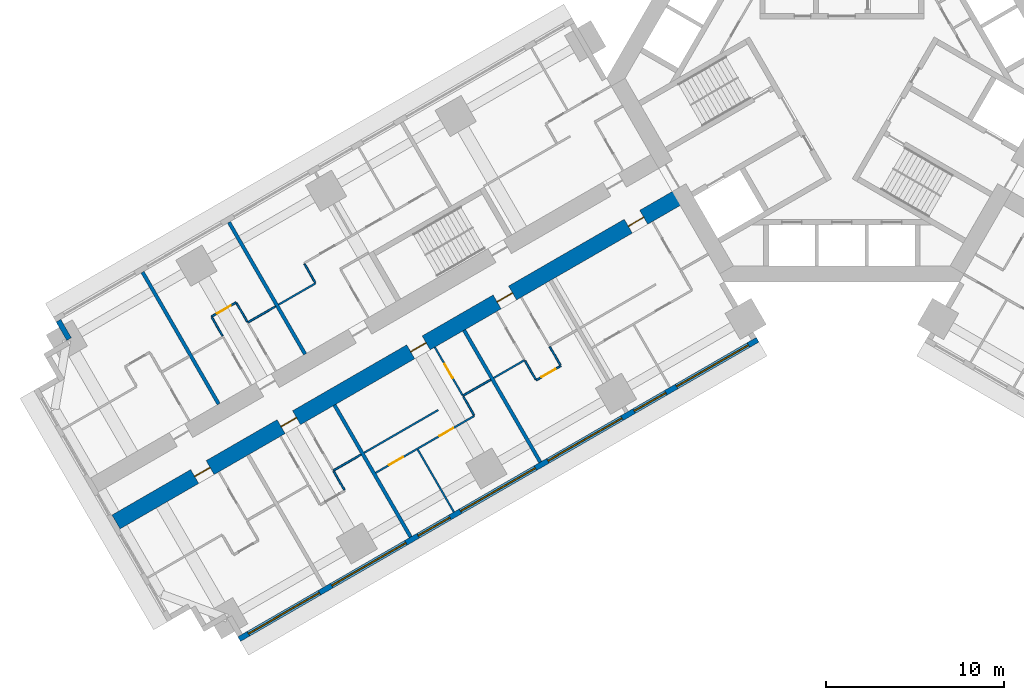
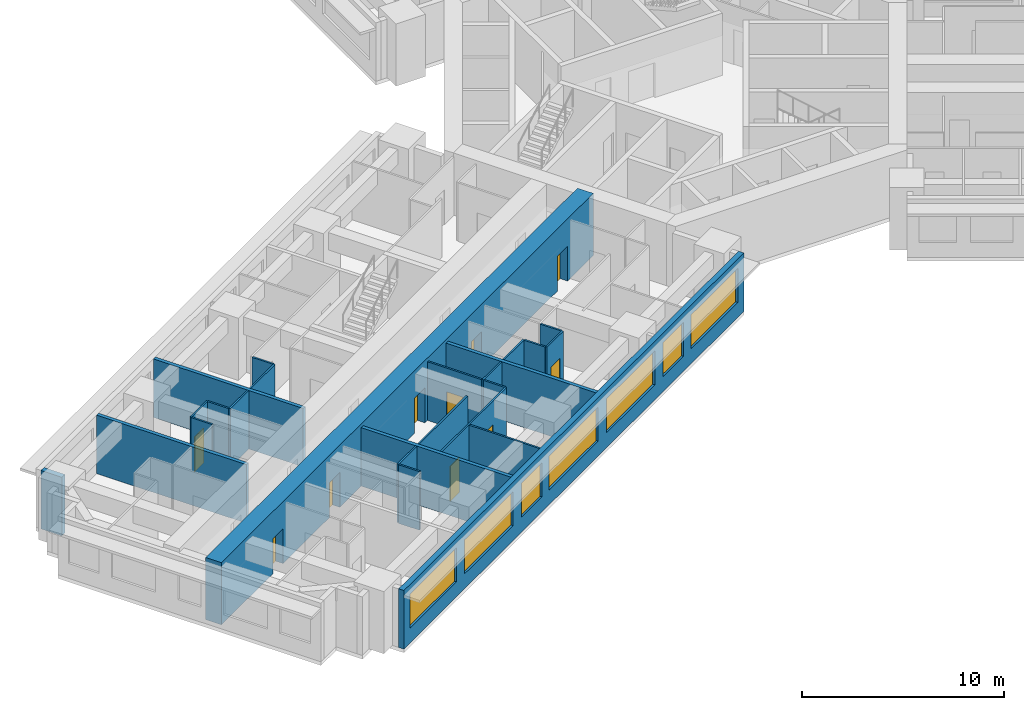
# One storey, part 4 of 16: 25 walls, 10 doors, 7 windows, 17 openings.
"""IFC4 building model written with IfcOpenShell, lengths in metres."""

from ifc_helpers import new_model, si_unit, direction, frame, frame_2d, origin, place, context, subcontext, project, spatial, rectangle, extrude, material, layer, layer_set, type_object, element, fill, save


model = new_model("IFC4")

# Units and contexts
model_context = context("Model", 3, precision=1e-05, world=origin(), true_north=direction((0.0, 1.0)))
body_context = subcontext(model_context, "Body", "Model", "MODEL_VIEW")
ifc_project = project(units=[si_unit("LENGTHUNIT", "METRE"), si_unit("AREAUNIT", "SQUARE_METRE"), si_unit("VOLUMEUNIT", "CUBIC_METRE"), si_unit("PLANEANGLEUNIT", "RADIAN"), si_unit("MASSUNIT", "GRAM", prefix="KILO")], contexts=[model_context])

# Site, building, storey
site_placement = place(None, origin())
site = spatial("IfcSite", under=ifc_project, at=site_placement, CompositionType="ELEMENT")
building_placement = place(site_placement, origin())
building = spatial("IfcBuilding", under=site, at=building_placement, Name="Impinga Residences", CompositionType="ELEMENT")
storey_placement = place(building_placement, frame((0.0, 0.0, 48.5)))
storey = spatial("IfcBuildingStorey", under=building, at=storey_placement, Name="L11", CompositionType="ELEMENT", Elevation=48.5)

# Wall, openings, doors
ifc_material_1 = material(Name="Concrete C70/85", Category="concrete")
ifc_layer_1 = layer(ifc_material_1, 0.89990234375)
ifc_layer_set_1 = layer_set([ifc_layer_1], Name="Concrete C70/85")
wall_type_1 = type_object("IfcWallType", Name="BW1 corridor buttress wall, L05 to L22 900", PredefinedType="SHEAR", material=ifc_layer_set_1)
wall_1_placement = place(storey_placement, frame((-8.910400390625, -6.530029296875, 0.0), z_axis=(0.0, 0.0, 1.0), x_axis=(-0.866025284237, -0.500000207062, 0.0)))
wall_1 = element("IfcWall", 1, at=wall_1_placement, inside=storey, type_object=wall_type_1, Name="Corridor wall BW1 WC L11", PredefinedType="SHEAR", context=body_context, shape_type="SweptSolid", body=[
    extrude(rectangle(XDim=36.75, YDim=0.89990234375, at=frame_2d((18.375, 0.0))), origin(), (0.0, 0.0, 1.0), 3.75),
])
opening_1_placement = place(wall_1_placement, frame((2.550048828125, 0.0, 0.0)))
opening_1 = element("IfcOpeningElement", 2, at=opening_1_placement, cuts=wall_1, Name="Opening D1", PredefinedType="OPENING", context=body_context, shape_type="SweptSolid", body=[
    extrude(rectangle(XDim=1.0, YDim=2.10009765625, at=frame_2d((0.5, 1.050048828125))), frame((0.0, 0.4599609375, 0.0), z_axis=(0.0, -1.0, 0.0), x_axis=(1.0, 0.0, 0.0)), (0.0, 0.0, 1.0), 0.919921875),
])
opening_2_placement = place(wall_1_placement, frame((11.050048828125, 0.0, 0.0)))
opening_2 = element("IfcOpeningElement", 3, at=opening_2_placement, cuts=wall_1, Name="Opening D1", PredefinedType="OPENING", context=body_context, shape_type="SweptSolid", body=[
    extrude(rectangle(XDim=1.0, YDim=2.10009765625, at=frame_2d((0.5, 1.050048828125))), frame((0.0, 0.4599609375, 0.0), z_axis=(0.0, -1.0, 0.0), x_axis=(1.0, 0.0, 0.0)), (0.0, 0.0, 1.0), 0.919921875),
])
opening_3_placement = place(wall_1_placement, frame((16.64990234375, 0.0, 0.0)))
opening_3 = element("IfcOpeningElement", 4, at=opening_3_placement, cuts=wall_1, Name="Opening D1", PredefinedType="OPENING", context=body_context, shape_type="SweptSolid", body=[
    extrude(rectangle(XDim=1.0, YDim=2.10009765625, at=frame_2d((0.5, 1.050048828125))), frame((0.0, 0.4599609375, 0.0), z_axis=(0.0, -1.0, 0.0), x_axis=(1.0, 0.0, 0.0)), (0.0, 0.0, 1.0), 0.919921875),
])
opening_4_placement = place(wall_1_placement, frame((25.050048828125, 0.0, 0.0)))
opening_4 = element("IfcOpeningElement", 5, at=opening_4_placement, cuts=wall_1, Name="Opening D1", PredefinedType="OPENING", context=body_context, shape_type="SweptSolid", body=[
    extrude(rectangle(XDim=1.0, YDim=2.10009765625, at=frame_2d((0.5, 1.050048828125))), frame((0.0, 0.4599609375, 0.0), z_axis=(0.0, -1.0, 0.0), x_axis=(1.0, 0.0, 0.0)), (0.0, 0.0, 1.0), 0.919921875),
])
opening_5_placement = place(wall_1_placement, frame((30.64990234375, 0.0, 0.0)))
opening_5 = element("IfcOpeningElement", 6, at=opening_5_placement, cuts=wall_1, Name="Opening D1", PredefinedType="OPENING", context=body_context, shape_type="SweptSolid", body=[
    extrude(rectangle(XDim=1.0, YDim=2.10009765625, at=frame_2d((0.5, 1.050048828125))), frame((0.0, 0.4599609375, 0.0), z_axis=(0.0, -1.0, 0.0), x_axis=(1.0, 0.0, 0.0)), (0.0, 0.0, 1.0), 0.919921875),
])
ifc_material_2 = material(Name="Timber door set", Category="wood")
door_type_1 = type_object("IfcDoorType", Name="D1 apartment entrance door 1000x2100", OperationType="SINGLE_SWING_LEFT", PredefinedType="DOOR", material=ifc_material_2)
door_1_placement = place(opening_1_placement, origin())
door_1 = element("IfcDoor", 7, at=door_1_placement, inside=storey, type_object=door_type_1, Name="Apartment L11-WA1 entrance", OperationType="SINGLE_SWING_LEFT", OverallHeight=2.10009765625, OverallWidth=1.0, PredefinedType="DOOR", context=body_context, shape_type="SweptSolid", body=[
    extrude(rectangle(XDim=1.0, YDim=2.10009765625, at=frame_2d((0.5, 1.050048828125))), frame((0.0, 0.02490234375, 0.0), z_axis=(0.0, -1.0, 0.0), x_axis=(1.0, 0.0, 0.0)), (0.0, 0.0, 1.0), 0.050048828125),
])
fill(opening_1, door_1)
door_2_placement = place(opening_2_placement, origin())
door_2 = element("IfcDoor", 8, at=door_2_placement, inside=storey, type_object=door_type_1, Name="Apartment L11-WA2 entrance", OperationType="SINGLE_SWING_LEFT", OverallHeight=2.10009765625, OverallWidth=1.0, PredefinedType="DOOR", context=body_context, shape_type="SweptSolid", body=[
    extrude(rectangle(XDim=1.0, YDim=2.10009765625, at=frame_2d((0.5, 1.050048828125))), frame((0.0, 0.02490234375, 0.0), z_axis=(0.0, -1.0, 0.0), x_axis=(1.0, 0.0, 0.0)), (0.0, 0.0, 1.0), 0.050048828125),
])
fill(opening_2, door_2)
door_3_placement = place(opening_3_placement, origin())
door_3 = element("IfcDoor", 9, at=door_3_placement, inside=storey, type_object=door_type_1, Name="Apartment L11-WA3 entrance", OperationType="SINGLE_SWING_LEFT", OverallHeight=2.10009765625, OverallWidth=1.0, PredefinedType="DOOR", context=body_context, shape_type="SweptSolid", body=[
    extrude(rectangle(XDim=1.0, YDim=2.10009765625, at=frame_2d((0.5, 1.050048828125))), frame((0.0, 0.02490234375, 0.0), z_axis=(0.0, -1.0, 0.0), x_axis=(1.0, 0.0, 0.0)), (0.0, 0.0, 1.0), 0.050048828125),
])
fill(opening_3, door_3)
door_4_placement = place(opening_4_placement, origin())
door_4 = element("IfcDoor", 10, at=door_4_placement, inside=storey, type_object=door_type_1, Name="Apartment L11-WA4 entrance", OperationType="SINGLE_SWING_RIGHT", OverallHeight=2.10009765625, OverallWidth=1.0, PredefinedType="DOOR", context=body_context, shape_type="SweptSolid", body=[
    extrude(rectangle(XDim=1.0, YDim=2.10009765625, at=frame_2d((0.5, 1.050048828125))), frame((0.0, 0.02490234375, 0.0), z_axis=(0.0, -1.0, 0.0), x_axis=(1.0, 0.0, 0.0)), (0.0, 0.0, 1.0), 0.050048828125),
])
fill(opening_4, door_4)
door_5_placement = place(opening_5_placement, origin())
door_5 = element("IfcDoor", 11, at=door_5_placement, inside=storey, type_object=door_type_1, Name="Apartment L11-WA5 entrance", OperationType="SINGLE_SWING_RIGHT", OverallHeight=2.10009765625, OverallWidth=1.0, PredefinedType="DOOR", context=body_context, shape_type="SweptSolid", body=[
    extrude(rectangle(XDim=1.0, YDim=2.10009765625, at=frame_2d((0.5, 1.050048828125))), frame((0.0, 0.02490234375, 0.0), z_axis=(0.0, -1.0, 0.0), x_axis=(1.0, 0.0, 0.0)), (0.0, 0.0, 1.0), 0.050048828125),
])
fill(opening_5, door_5)

# Wall
ifc_material_3 = material(Name="Terracotta rainscreen on blockwork", Category="masonry")
ifc_layer_2 = layer(ifc_material_3, 0.300048828125)
ifc_layer_set_2 = layer_set([ifc_layer_2], Name="EW1 external wall, terracotta rainscreen on blockwork 300")
wall_type_2 = type_object("IfcWallType", Name="EW1 external wall, terracotta rainscreen on blockwork 300", PredefinedType="SOLIDWALL", material=ifc_layer_set_2)
wall_2_placement = place(storey_placement, frame((-43.37109375, -14.64208984375, 0.0), z_axis=(0.0, 0.0, 1.0), x_axis=(-0.500029051137, 0.866008630453, 0.0)))
element("IfcWall", 12, at=wall_2_placement, inside=storey, type_object=wall_type_2, Name="External wall EW1 L11", PredefinedType="SOLIDWALL", context=body_context, shape_type="SweptSolid", body=[
    extrude(rectangle(XDim=1.19482421875, YDim=0.300048828125, at=frame_2d((0.597412109375, 0.0))), origin(), (0.0, 0.0, 1.0), 3.530029296875),
])

# Wall, openings, windows
wall_3_placement = place(storey_placement, frame((-4.72509765625, -14.67919921875, 0.0), z_axis=(0.0, 0.0, 1.0), x_axis=(-0.866024291668, -0.500001926238, 0.0)))
wall_3 = element("IfcWall", 13, at=wall_3_placement, inside=storey, type_object=wall_type_2, Name="External wall EW1 L11", PredefinedType="SOLIDWALL", context=body_context, shape_type="SweptSolid", body=[
    extrude(rectangle(XDim=33.599853515625, YDim=0.300048828125, at=frame_2d((16.7998046875, 0.0))), origin(), (0.0, 0.0, 1.0), 3.530029296875),
])
opening_6_placement = place(wall_3_placement, frame((0.60009765625, 0.0, 0.89990234375)))
opening_6 = element("IfcOpeningElement", 14, at=opening_6_placement, cuts=wall_3, Name="Opening W10", PredefinedType="OPENING", context=body_context, shape_type="SweptSolid", body=[
    extrude(rectangle(XDim=4.64990234375, YDim=2.050048828125, at=frame_2d((2.324951171875, 1.02490234375))), frame((0.0, 0.159912109375, 0.0), z_axis=(0.0, -1.0, 0.0), x_axis=(1.0, 0.0, 0.0)), (0.0, 0.0, 1.0), 0.320068359375),
])
opening_7_placement = place(wall_3_placement, frame((5.949951171875, 0.0, 0.89990234375)))
opening_7 = element("IfcOpeningElement", 15, at=opening_7_placement, cuts=wall_3, Name="Opening W14", PredefinedType="OPENING", context=body_context, shape_type="SweptSolid", body=[
    extrude(rectangle(XDim=2.050048828125, YDim=2.050048828125, at=frame_2d((1.02490234375, 1.02490234375))), frame((0.0, 0.159912109375, 0.0), z_axis=(0.0, -1.0, 0.0), x_axis=(1.0, 0.0, 0.0)), (0.0, 0.0, 1.0), 0.320068359375),
])
opening_8_placement = place(wall_3_placement, frame((8.800048828125, 0.0, 0.89990234375)))
opening_8 = element("IfcOpeningElement", 16, at=opening_8_placement, cuts=wall_3, Name="Opening W8", PredefinedType="OPENING", context=body_context, shape_type="SweptSolid", body=[
    extrude(rectangle(XDim=4.800048828125, YDim=2.050048828125, at=frame_2d((2.39990234375, 1.02490234375))), frame((0.0, 0.159912109375, 0.0), z_axis=(0.0, -1.0, 0.0), x_axis=(1.0, 0.0, 0.0)), (0.0, 0.0, 1.0), 0.320068359375),
])
opening_9_placement = place(wall_3_placement, frame((14.39990234375, 0.0, 0.89990234375)))
opening_9 = element("IfcOpeningElement", 17, at=opening_9_placement, cuts=wall_3, Name="Opening W6", PredefinedType="OPENING", context=body_context, shape_type="SweptSolid", body=[
    extrude(rectangle(XDim=4.85009765625, YDim=2.050048828125, at=frame_2d((2.425048828125, 1.02490234375))), frame((0.0, 0.159912109375, 0.0), z_axis=(0.0, -1.0, 0.0), x_axis=(1.0, 0.0, 0.0)), (0.0, 0.0, 1.0), 0.320068359375),
])
opening_10_placement = place(wall_3_placement, frame((19.949951171875, 0.0, 0.89990234375)))
opening_10 = element("IfcOpeningElement", 18, at=opening_10_placement, cuts=wall_3, Name="Opening W14", PredefinedType="OPENING", context=body_context, shape_type="SweptSolid", body=[
    extrude(rectangle(XDim=2.050048828125, YDim=2.050048828125, at=frame_2d((1.02490234375, 1.02490234375))), frame((0.0, 0.159912109375, 0.0), z_axis=(0.0, -1.0, 0.0), x_axis=(1.0, 0.0, 0.0)), (0.0, 0.0, 1.0), 0.320068359375),
])
opening_11_placement = place(wall_3_placement, frame((22.800048828125, 0.0, 0.89990234375)))
opening_11 = element("IfcOpeningElement", 19, at=opening_11_placement, cuts=wall_3, Name="Opening W8", PredefinedType="OPENING", context=body_context, shape_type="SweptSolid", body=[
    extrude(rectangle(XDim=4.800048828125, YDim=2.050048828125, at=frame_2d((2.39990234375, 1.02490234375))), frame((0.0, 0.159912109375, 0.0), z_axis=(0.0, -1.0, 0.0), x_axis=(1.0, 0.0, 0.0)), (0.0, 0.0, 1.0), 0.320068359375),
])
opening_12_placement = place(wall_3_placement, frame((28.39990234375, 0.0, 0.89990234375)))
opening_12 = element("IfcOpeningElement", 20, at=opening_12_placement, cuts=wall_3, Name="Opening W3", PredefinedType="OPENING", context=body_context, shape_type="SweptSolid", body=[
    extrude(rectangle(XDim=4.60009765625, YDim=2.050048828125, at=frame_2d((2.300048828125, 1.02490234375))), frame((0.0, 0.159912109375, 0.0), z_axis=(0.0, -1.0, 0.0), x_axis=(1.0, 0.0, 0.0)), (0.0, 0.0, 1.0), 0.320068359375),
])
ifc_material_4 = material(Name="Aluminium window, clear double glazing", Category="aluminium")
window_type_1 = type_object("IfcWindowType", Name="W10 ribbon window 4650x2050", PartitioningType="SINGLE_PANEL", PredefinedType="WINDOW", material=ifc_material_4)
window_1_placement = place(opening_6_placement, origin())
window_1 = element("IfcWindow", 21, at=window_1_placement, inside=storey, type_object=window_type_1, Name="Window L11", OverallHeight=2.050048828125, OverallWidth=4.64990234375, PartitioningType="SINGLE_PANEL", PredefinedType="WINDOW", context=body_context, shape_type="SweptSolid", body=[
    extrude(rectangle(XDim=4.64990234375, YDim=2.050048828125, at=frame_2d((2.324951171875, 1.02490234375))), frame((0.0, 0.030029296875, 0.0), z_axis=(0.0, -1.0, 0.0), x_axis=(1.0, 0.0, 0.0)), (0.0, 0.0, 1.0), 0.06005859375),
])
fill(opening_6, window_1)
window_type_2 = type_object("IfcWindowType", Name="W14 ribbon window 2050x2050", PartitioningType="SINGLE_PANEL", PredefinedType="WINDOW", material=ifc_material_4)
window_2_placement = place(opening_7_placement, origin())
window_2 = element("IfcWindow", 22, at=window_2_placement, inside=storey, type_object=window_type_2, Name="Window L11", OverallHeight=2.050048828125, OverallWidth=2.050048828125, PartitioningType="SINGLE_PANEL", PredefinedType="WINDOW", context=body_context, shape_type="SweptSolid", body=[
    extrude(rectangle(XDim=2.050048828125, YDim=2.050048828125, at=frame_2d((1.02490234375, 1.02490234375))), frame((0.0, 0.030029296875, 0.0), z_axis=(0.0, -1.0, 0.0), x_axis=(1.0, 0.0, 0.0)), (0.0, 0.0, 1.0), 0.06005859375),
])
fill(opening_7, window_2)
window_3_placement = place(opening_10_placement, origin())
window_3 = element("IfcWindow", 23, at=window_3_placement, inside=storey, type_object=window_type_2, Name="Window L11", OverallHeight=2.050048828125, OverallWidth=2.050048828125, PartitioningType="SINGLE_PANEL", PredefinedType="WINDOW", context=body_context, shape_type="SweptSolid", body=[
    extrude(rectangle(XDim=2.050048828125, YDim=2.050048828125, at=frame_2d((1.02490234375, 1.02490234375))), frame((0.0, 0.030029296875, 0.0), z_axis=(0.0, -1.0, 0.0), x_axis=(1.0, 0.0, 0.0)), (0.0, 0.0, 1.0), 0.06005859375),
])
fill(opening_10, window_3)
window_type_3 = type_object("IfcWindowType", Name="W3 ribbon window 4600x2050", PartitioningType="SINGLE_PANEL", PredefinedType="WINDOW", material=ifc_material_4)
window_4_placement = place(opening_12_placement, origin())
window_4 = element("IfcWindow", 24, at=window_4_placement, inside=storey, type_object=window_type_3, Name="Window L11", OverallHeight=2.050048828125, OverallWidth=4.60009765625, PartitioningType="SINGLE_PANEL", PredefinedType="WINDOW", context=body_context, shape_type="SweptSolid", body=[
    extrude(rectangle(XDim=4.60009765625, YDim=2.050048828125, at=frame_2d((2.300048828125, 1.02490234375))), frame((0.0, 0.030029296875, 0.0), z_axis=(0.0, -1.0, 0.0), x_axis=(1.0, 0.0, 0.0)), (0.0, 0.0, 1.0), 0.06005859375),
])
fill(opening_12, window_4)
window_type_4 = type_object("IfcWindowType", Name="W6 ribbon window 4850x2050", PartitioningType="SINGLE_PANEL", PredefinedType="WINDOW", material=ifc_material_4)
window_5_placement = place(opening_9_placement, origin())
window_5 = element("IfcWindow", 25, at=window_5_placement, inside=storey, type_object=window_type_4, Name="Window L11", OverallHeight=2.050048828125, OverallWidth=4.85009765625, PartitioningType="SINGLE_PANEL", PredefinedType="WINDOW", context=body_context, shape_type="SweptSolid", body=[
    extrude(rectangle(XDim=4.85009765625, YDim=2.050048828125, at=frame_2d((2.425048828125, 1.02490234375))), frame((0.0, 0.030029296875, 0.0), z_axis=(0.0, -1.0, 0.0), x_axis=(1.0, 0.0, 0.0)), (0.0, 0.0, 1.0), 0.06005859375),
])
fill(opening_9, window_5)
window_type_5 = type_object("IfcWindowType", Name="W8 ribbon window 4800x2050", PartitioningType="SINGLE_PANEL", PredefinedType="WINDOW", material=ifc_material_4)
window_6_placement = place(opening_8_placement, origin())
window_6 = element("IfcWindow", 26, at=window_6_placement, inside=storey, type_object=window_type_5, Name="Window L11", OverallHeight=2.050048828125, OverallWidth=4.800048828125, PartitioningType="SINGLE_PANEL", PredefinedType="WINDOW", context=body_context, shape_type="SweptSolid", body=[
    extrude(rectangle(XDim=4.800048828125, YDim=2.050048828125, at=frame_2d((2.39990234375, 1.02490234375))), frame((0.0, 0.030029296875, 0.0), z_axis=(0.0, -1.0, 0.0), x_axis=(1.0, 0.0, 0.0)), (0.0, 0.0, 1.0), 0.06005859375),
])
fill(opening_8, window_6)
window_7_placement = place(opening_11_placement, origin())
window_7 = element("IfcWindow", 27, at=window_7_placement, inside=storey, type_object=window_type_5, Name="Window L11", OverallHeight=2.050048828125, OverallWidth=4.800048828125, PartitioningType="SINGLE_PANEL", PredefinedType="WINDOW", context=body_context, shape_type="SweptSolid", body=[
    extrude(rectangle(XDim=4.800048828125, YDim=2.050048828125, at=frame_2d((2.39990234375, 1.02490234375))), frame((0.0, 0.030029296875, 0.0), z_axis=(0.0, -1.0, 0.0), x_axis=(1.0, 0.0, 0.0)), (0.0, 0.0, 1.0), 0.06005859375),
])
fill(opening_11, window_7)

# Wall
ifc_material_5 = material(Name="Gypsum board on steel studs", Category="steel")
ifc_layer_3 = layer(ifc_material_5, 0.10009765625)
ifc_layer_set_3 = layer_set([ifc_layer_3], Name="Gypsum board on steel studs")
wall_type_3 = type_object("IfcWallType", Name="IP1 partition 100", PredefinedType="PARTITIONING", material=ifc_layer_set_3)
wall_4_placement = place(storey_placement, frame((-17.8056640625, -15.82275390625, 0.0), z_axis=(0.0, 0.0, 1.0), x_axis=(-0.866041268327, -0.499972520799, 0.0)))
element("IfcWall", 28, at=wall_4_placement, inside=storey, type_object=wall_type_3, Name="Partition L11-WA2:DIV1", PredefinedType="PARTITIONING", context=body_context, shape_type="SweptSolid", body=[
    extrude(rectangle(XDim=2.0, YDim=0.10009765625, at=frame_2d((1.0, 0.0))), origin(), (0.0, 0.0, 1.0), 3.530029296875),
])

# Wall, opening, door
wall_5_placement = place(storey_placement, frame((-15.77001953125, -16.1484375, 0.0), z_axis=(0.0, 0.0, 1.0), x_axis=(-0.866028054938, -0.499995408039, 0.0)))
wall_5 = element("IfcWall", 29, at=wall_5_placement, inside=storey, type_object=wall_type_3, Name="Partition L11-WA2:STRIP", PredefinedType="PARTITIONING", context=body_context, shape_type="SweptSolid", body=[
    extrude(rectangle(XDim=1.60009765625, YDim=0.10009765625, at=frame_2d((0.800048828125, 0.0))), origin(), (0.0, 0.0, 1.0), 3.530029296875),
])
opening_13_placement = place(wall_5_placement, frame((0.35009765625, 0.0, 0.0)))
opening_13 = element("IfcOpeningElement", 30, at=opening_13_placement, cuts=wall_5, Name="Opening D2", PredefinedType="OPENING", context=body_context, shape_type="SweptSolid", body=[
    extrude(rectangle(XDim=0.89990234375, YDim=2.10009765625, at=frame_2d((0.449951171875, 1.050048828125))), frame((0.0, 0.06005859375, 0.0), z_axis=(0.0, -1.0, 0.0), x_axis=(1.0, 0.0, 0.0)), (0.0, 0.0, 1.0), 0.1201171875),
])
door_type_2 = type_object("IfcDoorType", Name="D2 internal door 900x2100", OperationType="SINGLE_SWING_LEFT", PredefinedType="DOOR", material=ifc_material_2)
door_6_placement = place(opening_13_placement, origin())
door_6 = element("IfcDoor", 31, at=door_6_placement, inside=storey, type_object=door_type_2, Name="Apartment L11-WA2 room door", OperationType="SINGLE_SWING_LEFT", OverallHeight=2.10009765625, OverallWidth=0.89990234375, PredefinedType="DOOR", context=body_context, shape_type="SweptSolid", body=[
    extrude(rectangle(XDim=0.89990234375, YDim=2.10009765625, at=frame_2d((0.449951171875, 1.050048828125))), frame((0.0, 0.02490234375, 0.0), z_axis=(0.0, -1.0, 0.0), x_axis=(1.0, 0.0, 0.0)), (0.0, 0.0, 1.0), 0.050048828125),
])
fill(opening_13, door_6)

# Walls
wall_6_placement = place(storey_placement, frame((-16.39501953125, -15.06591796875, 0.0), z_axis=(0.0, 0.0, 1.0), x_axis=(0.499880961361, -0.866094119867, 0.0)))
element("IfcWall", 32, at=wall_6_placement, inside=storey, type_object=wall_type_3, Name="Partition L11-WA2:SE0", PredefinedType="PARTITIONING", context=body_context, shape_type="SweptSolid", body=[
    extrude(rectangle(XDim=1.199951171875, YDim=0.10009765625, at=frame_2d((0.60009765625, 0.0))), origin(), (0.0, 0.0, 1.0), 3.530029296875),
])
wall_7_placement = place(storey_placement, frame((-17.78076171875, -15.865966796875, 0.0), z_axis=(0.0, 0.0, 1.0), x_axis=(0.500033551112, -0.866006032174, 0.0)))
element("IfcWall", 33, at=wall_7_placement, inside=storey, type_object=wall_type_3, Name="Partition L11-WA2:SE1", PredefinedType="PARTITIONING", context=body_context, shape_type="SweptSolid", body=[
    extrude(rectangle(XDim=1.2001953125, YDim=0.10009765625, at=frame_2d((0.60009765625, 0.0))), origin(), (0.0, 0.0, 1.0), 3.530029296875),
])
wall_8_placement = place(storey_placement, frame((-19.7109375, -16.922607421875, 0.0), z_axis=(0.0, 0.0, 1.0), x_axis=(-0.865989075817, -0.500062916607, 0.0)))
element("IfcWall", 34, at=wall_8_placement, inside=storey, type_object=wall_type_3, Name="Partition L11-WA3:DIV0", PredefinedType="PARTITIONING", context=body_context, shape_type="SweptSolid", body=[
    extrude(rectangle(XDim=1.800048828125, YDim=0.10009765625, at=frame_2d((0.89990234375, 0.0))), origin(), (0.0, 0.0, 1.0), 3.530029296875),
])
wall_9_placement = place(storey_placement, frame((-22.655517578125, -18.622802734375, 0.0), z_axis=(0.0, 0.0, 1.0), x_axis=(-0.866024647952, -0.500001309137, 0.0)))
element("IfcWall", 35, at=wall_9_placement, inside=storey, type_object=wall_type_3, Name="Partition L11-WA3:DIV1", PredefinedType="PARTITIONING", context=body_context, shape_type="SweptSolid", body=[
    extrude(rectangle(XDim=4.7998046875, YDim=0.10009765625, at=frame_2d((2.39990234375, 0.0))), origin(), (0.0, 0.0, 1.0), 3.530029296875),
])

# Wall, openings, doors
wall_10_placement = place(storey_placement, frame((-20.619873046875, -18.948486328125, 0.0), z_axis=(0.0, 0.0, 1.0), x_axis=(-0.866025499775, -0.499999833739, 0.0)))
wall_10 = element("IfcWall", 36, at=wall_10_placement, inside=storey, type_object=wall_type_3, Name="Partition L11-WA3:STRIP", PredefinedType="PARTITIONING", context=body_context, shape_type="SweptSolid", body=[
    extrude(rectangle(XDim=6.39990234375, YDim=0.10009765625, at=frame_2d((3.199951171875, 0.0))), origin(), (0.0, 0.0, 1.0), 3.530029296875),
])
opening_14_placement = place(wall_10_placement, frame((1.375, 0.0, 0.0)))
opening_14 = element("IfcOpeningElement", 37, at=opening_14_placement, cuts=wall_10, Name="Opening D2", PredefinedType="OPENING", context=body_context, shape_type="SweptSolid", body=[
    extrude(rectangle(XDim=0.89990234375, YDim=2.10009765625, at=frame_2d((0.449951171875, 1.050048828125))), frame((0.0, 0.06005859375, 0.0), z_axis=(0.0, -1.0, 0.0), x_axis=(1.0, 0.0, 0.0)), (0.0, 0.0, 1.0), 0.1201171875),
])
opening_15_placement = place(wall_10_placement, frame((4.625, 0.0, 0.0)))
opening_15 = element("IfcOpeningElement", 38, at=opening_15_placement, cuts=wall_10, Name="Opening D2", PredefinedType="OPENING", context=body_context, shape_type="SweptSolid", body=[
    extrude(rectangle(XDim=0.89990234375, YDim=2.10009765625, at=frame_2d((0.449951171875, 1.050048828125))), frame((0.0, 0.06005859375, 0.0), z_axis=(0.0, -1.0, 0.0), x_axis=(1.0, 0.0, 0.0)), (0.0, 0.0, 1.0), 0.1201171875),
])
door_7_placement = place(opening_14_placement, origin())
door_7 = element("IfcDoor", 39, at=door_7_placement, inside=storey, type_object=door_type_2, Name="Apartment L11-WA3 room door", OperationType="SINGLE_SWING_LEFT", OverallHeight=2.10009765625, OverallWidth=0.89990234375, PredefinedType="DOOR", context=body_context, shape_type="SweptSolid", body=[
    extrude(rectangle(XDim=0.89990234375, YDim=2.10009765625, at=frame_2d((0.449951171875, 1.050048828125))), frame((0.0, 0.02490234375, 0.0), z_axis=(0.0, -1.0, 0.0), x_axis=(1.0, 0.0, 0.0)), (0.0, 0.0, 1.0), 0.050048828125),
])
fill(opening_14, door_7)
door_8_placement = place(opening_15_placement, origin())
door_8 = element("IfcDoor", 40, at=door_8_placement, inside=storey, type_object=door_type_2, Name="Apartment L11-WA3 room door", OperationType="SINGLE_SWING_RIGHT", OverallHeight=2.10009765625, OverallWidth=0.89990234375, PredefinedType="DOOR", context=body_context, shape_type="SweptSolid", body=[
    extrude(rectangle(XDim=0.89990234375, YDim=2.10009765625, at=frame_2d((0.449951171875, 1.050048828125))), frame((0.0, 0.02490234375, 0.0), z_axis=(0.0, -1.0, 0.0), x_axis=(1.0, 0.0, 0.0)), (0.0, 0.0, 1.0), 0.050048828125),
])
fill(opening_15, door_8)

# Wall
wall_11_placement = place(storey_placement, frame((-21.244873046875, -17.865966796875, 0.0), z_axis=(0.0, 0.0, 1.0), x_axis=(0.500033551112, -0.866006032174, 0.0)))
element("IfcWall", 41, at=wall_11_placement, inside=storey, type_object=wall_type_3, Name="Partition L11-WA3:SE0", PredefinedType="PARTITIONING", context=body_context, shape_type="SweptSolid", body=[
    extrude(rectangle(XDim=1.2001953125, YDim=0.10009765625, at=frame_2d((0.60009765625, 0.0))), origin(), (0.0, 0.0, 1.0), 3.530029296875),
])

# Wall, opening, door
wall_12_placement = place(storey_placement, frame((-22.8447265625, -15.0947265625, 0.0), z_axis=(0.0, 0.0, 1.0), x_axis=(0.499967891604, -0.866043940782, 0.0)))
wall_12 = element("IfcWall", 42, at=wall_12_placement, inside=storey, type_object=wall_type_3, Name="Partition L11-WA3:IB1", PredefinedType="PARTITIONING", context=body_context, shape_type="SweptSolid", body=[
    extrude(rectangle(XDim=3.099853515625, YDim=0.10009765625, at=frame_2d((1.5498046875, 0.0))), origin(), (0.0, 0.0, 1.0), 3.530029296875),
])
opening_16_placement = place(wall_12_placement, frame((1.10009765625, 0.0, 0.0)))
opening_16 = element("IfcOpeningElement", 43, at=opening_16_placement, cuts=wall_12, Name="Opening D2", PredefinedType="OPENING", context=body_context, shape_type="SweptSolid", body=[
    extrude(rectangle(XDim=0.89990234375, YDim=2.10009765625, at=frame_2d((0.449951171875, 1.050048828125))), frame((0.0, 0.06005859375, 0.0), z_axis=(0.0, -1.0, 0.0), x_axis=(1.0, 0.0, 0.0)), (0.0, 0.0, 1.0), 0.1201171875),
])
door_9_placement = place(opening_16_placement, origin())
door_9 = element("IfcDoor", 44, at=door_9_placement, inside=storey, type_object=door_type_2, Name="Apartment L11-WA3 bathroom door", OperationType="SINGLE_SWING_LEFT", OverallHeight=2.10009765625, OverallWidth=0.89990234375, PredefinedType="DOOR", context=body_context, shape_type="SweptSolid", body=[
    extrude(rectangle(XDim=0.89990234375, YDim=2.10009765625, at=frame_2d((0.449951171875, 1.050048828125))), frame((0.0, 0.02490234375, 0.0), z_axis=(0.0, -1.0, 0.0), x_axis=(1.0, 0.0, 0.0)), (0.0, 0.0, 1.0), 0.050048828125),
])
fill(opening_16, door_9)

# Walls
wall_13_placement = place(storey_placement, frame((-23.799072265625, -20.841796875, 0.0), z_axis=(0.0, 0.0, 1.0), x_axis=(0.499990325971, -0.866030989016, 0.0)))
element("IfcWall", 45, at=wall_13_placement, inside=storey, type_object=wall_type_3, Name="Partition L11-WA3:OB1", PredefinedType="PARTITIONING", context=body_context, shape_type="SweptSolid", body=[
    extrude(rectangle(XDim=4.0498046875, YDim=0.10009765625, at=frame_2d((2.02490234375, 0.0))), origin(), (0.0, 0.0, 1.0), 3.530029296875),
])
wall_14_placement = place(storey_placement, frame((-26.985595703125, -21.122802734375, 0.0), z_axis=(0.0, 0.0, 1.0), x_axis=(-0.866047807691, -0.499961193289, 0.0)))
element("IfcWall", 46, at=wall_14_placement, inside=storey, type_object=wall_type_3, Name="Partition L11-WA4:DIV0", PredefinedType="PARTITIONING", context=body_context, shape_type="SweptSolid", body=[
    extrude(rectangle(XDim=1.800048828125, YDim=0.10009765625, at=frame_2d((0.89990234375, 0.0))), origin(), (0.0, 0.0, 1.0), 3.530029296875),
])
wall_15_placement = place(storey_placement, frame((-28.51953125, -22.06591796875, 0.0), z_axis=(0.0, 0.0, 1.0), x_axis=(0.500033551112, -0.866006032174, 0.0)))
element("IfcWall", 47, at=wall_15_placement, inside=storey, type_object=wall_type_3, Name="Partition L11-WA4:SE0", PredefinedType="PARTITIONING", context=body_context, shape_type="SweptSolid", body=[
    extrude(rectangle(XDim=1.2001953125, YDim=0.10009765625, at=frame_2d((0.60009765625, 0.0))), origin(), (0.0, 0.0, 1.0), 3.530029296875),
])
wall_16_placement = place(storey_placement, frame((-29.533935546875, -11.5087890625, 0.0), z_axis=(0.0, 0.0, 1.0), x_axis=(-0.866024647952, -0.500001309137, 0.0)))
element("IfcWall", 48, at=wall_16_placement, inside=storey, type_object=wall_type_3, Name="Partition L11-WF2:DIV1", PredefinedType="PARTITIONING", context=body_context, shape_type="SweptSolid", body=[
    extrude(rectangle(XDim=2.39990234375, YDim=0.10009765625, at=frame_2d((1.199951171875, 0.0))), origin(), (0.0, 0.0, 1.0), 3.530029296875),
])
wall_17_placement = place(storey_placement, frame((-29.558837890625, -11.465576171875, 0.0), z_axis=(0.0, 0.0, 1.0), x_axis=(-0.500033551112, 0.866006032174, 0.0)))
element("IfcWall", 49, at=wall_17_placement, inside=storey, type_object=wall_type_3, Name="Partition L11-WF2:SE1", PredefinedType="PARTITIONING", context=body_context, shape_type="SweptSolid", body=[
    extrude(rectangle(XDim=1.2001953125, YDim=0.10009765625, at=frame_2d((0.60009765625, 0.0))), origin(), (0.0, 0.0, 1.0), 3.530029296875),
])
wall_18_placement = place(storey_placement, frame((-31.78564453125, -12.808837890625, 0.0), z_axis=(0.0, 0.0, 1.0), x_axis=(-0.866047807691, -0.499961193289, 0.0)))
element("IfcWall", 50, at=wall_18_placement, inside=storey, type_object=wall_type_3, Name="Partition L11-WF3:DIV0", PredefinedType="PARTITIONING", context=body_context, shape_type="SweptSolid", body=[
    extrude(rectangle(XDim=1.800048828125, YDim=0.10009765625, at=frame_2d((0.89990234375, 0.0))), origin(), (0.0, 0.0, 1.0), 3.530029296875),
])

# Wall, opening, door
wall_19_placement = place(storey_placement, frame((-33.994384765625, -12.5830078125, 0.0), z_axis=(0.0, 0.0, 1.0), x_axis=(-0.866028054938, -0.499995408039, 0.0)))
wall_19 = element("IfcWall", 51, at=wall_19_placement, inside=storey, type_object=wall_type_3, Name="Partition L11-WF3:STRIP", PredefinedType="PARTITIONING", context=body_context, shape_type="SweptSolid", body=[
    extrude(rectangle(XDim=1.60009765625, YDim=0.10009765625, at=frame_2d((0.800048828125, 0.0))), origin(), (0.0, 0.0, 1.0), 3.530029296875),
])
opening_17_placement = place(wall_19_placement, frame((0.35009765625, 0.0, 0.0)))
opening_17 = element("IfcOpeningElement", 52, at=opening_17_placement, cuts=wall_19, Name="Opening D2", PredefinedType="OPENING", context=body_context, shape_type="SweptSolid", body=[
    extrude(rectangle(XDim=0.89990234375, YDim=2.10009765625, at=frame_2d((0.449951171875, 1.050048828125))), frame((0.0, 0.06005859375, 0.0), z_axis=(0.0, -1.0, 0.0), x_axis=(1.0, 0.0, 0.0)), (0.0, 0.0, 1.0), 0.1201171875),
])
door_10_placement = place(opening_17_placement, origin())
door_10 = element("IfcDoor", 53, at=door_10_placement, inside=storey, type_object=door_type_2, Name="Apartment L11-WF3 room door", OperationType="SINGLE_SWING_LEFT", OverallHeight=2.10009765625, OverallWidth=0.89990234375, PredefinedType="DOOR", context=body_context, shape_type="SweptSolid", body=[
    extrude(rectangle(XDim=0.89990234375, YDim=2.10009765625, at=frame_2d((0.449951171875, 1.050048828125))), frame((0.0, 0.02490234375, 0.0), z_axis=(0.0, -1.0, 0.0), x_axis=(1.0, 0.0, 0.0)), (0.0, 0.0, 1.0), 0.050048828125),
])
fill(opening_17, door_10)

# Walls
wall_20_placement = place(storey_placement, frame((-33.369384765625, -13.66552734375, 0.0), z_axis=(0.0, 0.0, 1.0), x_axis=(-0.500033551112, 0.866006032174, 0.0)))
element("IfcWall", 54, at=wall_20_placement, inside=storey, type_object=wall_type_3, Name="Partition L11-WF3:SE0", PredefinedType="PARTITIONING", context=body_context, shape_type="SweptSolid", body=[
    extrude(rectangle(XDim=1.2001953125, YDim=0.10009765625, at=frame_2d((0.60009765625, 0.0))), origin(), (0.0, 0.0, 1.0), 3.530029296875),
])
wall_21_placement = place(storey_placement, frame((-34.755126953125, -14.465576171875, 0.0), z_axis=(0.0, 0.0, 1.0), x_axis=(-0.499880961361, 0.866094119867, 0.0)))
element("IfcWall", 55, at=wall_21_placement, inside=storey, type_object=wall_type_3, Name="Partition L11-WF3:SE1", PredefinedType="PARTITIONING", context=body_context, shape_type="SweptSolid", body=[
    extrude(rectangle(XDim=1.199951171875, YDim=0.10009765625, at=frame_2d((0.60009765625, 0.0))), origin(), (0.0, 0.0, 1.0), 3.530029296875),
])
ifc_material_6 = material(Name="Concrete blockwork", Category="masonry")
ifc_layer_4 = layer(ifc_material_6, 0.199951171875)
ifc_layer_set_4 = layer_set([ifc_layer_4], Name="PW1 party wall between apartments 200")
wall_type_4 = type_object("IfcWallType", Name="PW1 party wall between apartments 200", PredefinedType="SOLIDWALL", material=ifc_layer_set_4)
for number, where, z_axis, x_axis, name in (
    (56, (-21.199462890625, -14.144775390625, 0.0), (0.0, 0.0, 1.0), (0.500011643316, -0.866018681408, 0.0), "Party wall between apartments L11-WA2:PARTY"),
    (57, (-28.473876953125, -18.3447265625, 0.0), (0.0, 0.0, 1.0), (0.499990227581, -0.86603104582, 0.0), "Party wall between apartments L11-WA3:PARTY"),
    (58, (-30.1240234375, -15.48681640625, 0.0), (0.0, 0.0, 1.0), (-0.499990227581, 0.86603104582, 0.0), "Party wall between apartments L11-WF2:PARTY"),
    (59, (-34.9736328125, -18.286865234375, 0.0), (0.0, 0.0, 1.0), (-0.500011643316, 0.866018681408, 0.0), "Party wall between apartments L11-WF3:PARTY"),
):
    element("IfcWall", number, at=place(storey_placement, frame(where, z_axis=z_axis, x_axis=x_axis)), inside=storey, type_object=wall_type_4, Name=name, PredefinedType="SOLIDWALL", context=body_context, shape_type="SweptSolid", body=[
        extrude(rectangle(XDim=8.550048828125, YDim=0.199951171875, at=frame_2d((4.27490234375, 0.0))), origin(), (0.0, 0.0, 1.0), 3.530029296875),
    ])

save(model, "model.ifc")
